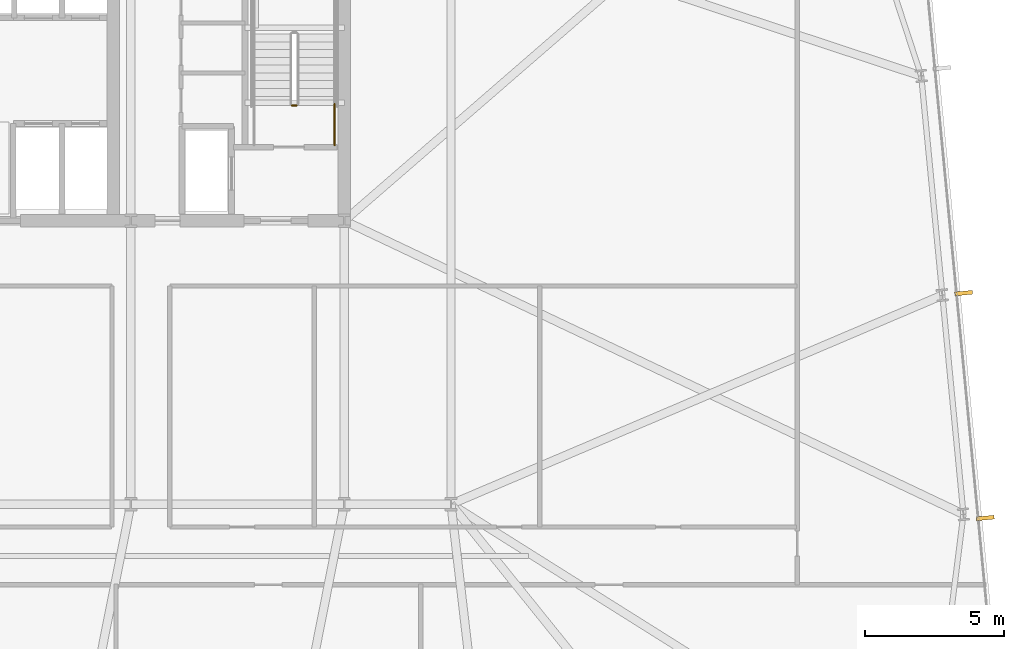
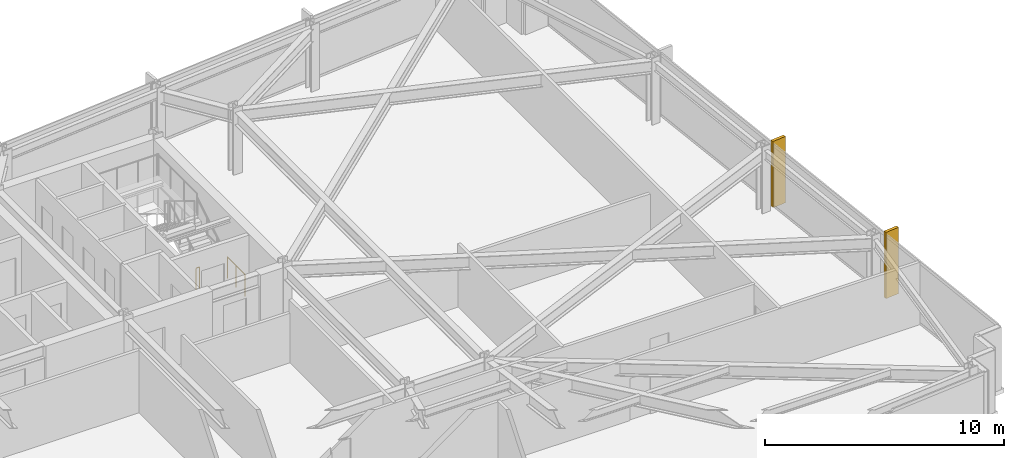
# One storey, part 30 of 32: 2 railings, 2 shading devices.
"""IFC4 building model written with IfcOpenShell, lengths in metres."""

from ifc_helpers import new_model, si_unit, direction, frame, origin, origin_2d, place, context, subcontext, project, spatial, rectangle, circle, extrude, material, layer, layer_set, type_object, element, save


model = new_model("IFC4")

# Units and contexts
model_context = context("Model", 3, precision=1e-05, world=origin(), true_north=direction((0.0, 1.0)))
body_context = subcontext(model_context, "Body", "Model", "MODEL_VIEW")
ifc_project = project(units=[si_unit("LENGTHUNIT", "METRE"), si_unit("AREAUNIT", "SQUARE_METRE"), si_unit("VOLUMEUNIT", "CUBIC_METRE"), si_unit("PLANEANGLEUNIT", "RADIAN"), si_unit("MASSUNIT", "GRAM", prefix="KILO")], contexts=[model_context])

# Site, building, storey
site_placement = place(None, origin())
site = spatial("IfcSite", under=ifc_project, at=site_placement, CompositionType="ELEMENT")
building_placement = place(site_placement, origin())
building = spatial("IfcBuilding", under=site, at=building_placement, Name="Yelkora Congress Tower", CompositionType="ELEMENT")
storey_placement = place(building_placement, frame((0.0, 0.0, 96.5)))
storey = spatial("IfcBuildingStorey", under=building, at=storey_placement, Name="L25", CompositionType="ELEMENT", Elevation=96.5)

# Railings
ifc_material_1 = material(Name="Painted galvanised steel stair well guard with vertical infill", Category="steel")
ifc_layer_1 = layer(ifc_material_1, 0.06005859375)
ifc_layer_set_1 = layer_set([ifc_layer_1], Name="Painted galvanised steel stair well guard with vertical infill")
railing_type = type_object("IfcRailingType", Name="RAIL-STAIR-GUARD-1120", PredefinedType="GUARDRAIL", material=ifc_layer_set_1)
railing_1_placement = place(storey_placement, frame((52.0400390625, 39.550048828125, 0.0)))
element("IfcRailing", 1, at=railing_1_placement, inside=storey, type_object=railing_type, Name="ST-02 L25 Stair Well Guardrail 7", PredefinedType="GUARDRAIL", context=body_context, shape_type="SweptSolid", body=[
    extrude(circle(Radius=0.02392578125, at=origin_2d()), frame((0.0, 0.0, 1.09619140625), z_axis=(-1.0, 0.0, 0.0), x_axis=(0.0, -1.0, 0.0)), (0.0, 0.0, 1.0), 0.16015625),
    extrude(circle(Radius=0.02099609375, at=origin_2d()), origin(), (0.0, 0.0, 1.0), 1.072021484375),
    extrude(circle(Radius=0.02099609375, at=origin_2d()), frame((-0.16015625, 0.0, 0.0)), (0.0, 0.0, 1.0), 1.072021484375),
])
railing_2_placement = place(storey_placement, frame((53.409912109375, 38.1201171875, 0.0)))
element("IfcRailing", 2, at=railing_2_placement, inside=storey, type_object=railing_type, Name="ST-02 L25 Stair Well Guardrail 8", PredefinedType="GUARDRAIL", context=body_context, shape_type="SweptSolid", body=[
    extrude(circle(Radius=0.02392578125, at=origin_2d()), frame((0.0, 0.0, 1.09619140625), z_axis=(0.0, 1.0, 0.0), x_axis=(-1.0, 0.0, 0.0)), (0.0, 0.0, 1.0), 1.47998046875),
    extrude(circle(Radius=0.02099609375, at=origin_2d()), origin(), (0.0, 0.0, 1.0), 1.072021484375),
    extrude(circle(Radius=0.02099609375, at=origin_2d()), frame((0.0, 0.739990234375, 0.0)), (0.0, 0.0, 1.0), 1.072021484375),
    extrude(circle(Radius=0.02099609375, at=origin_2d()), frame((0.0, 1.47998046875, 0.0)), (0.0, 0.0, 1.0), 1.072021484375),
])

# Shading devices
ifc_material_2 = material(Name="Champagne anodised aluminium", Category="aluminium")
ifc_layer_2 = layer(ifc_material_2, 3.39990234375)
ifc_layer_set_2 = layer_set([ifc_layer_2], Name="Champagne anodised aluminium")
shading_device_type = type_object("IfcShadingDeviceType", Name="SHD-FIN-ALU-640", PredefinedType="USERDEFINED", material=ifc_layer_set_2)
for number, where, z_axis, x_axis, name in (
    (3, (76.048095703125, 32.7958984375, -0.030029296875), (0.0, 0.0, 1.0), (0.09584575252, -0.995396198367, 0.0), "L25 Vertical Anodised Solar Fin 15-2"),
    (4, (76.827392578125, 24.703125, -0.030029296875), (0.0, 0.0, 1.0), (0.09584575252, -0.995396198367, 0.0), "L25 Vertical Anodised Solar Fin 15-3"),
):
    element("IfcShadingDevice", number, at=place(storey_placement, frame(where, z_axis=z_axis, x_axis=x_axis)), inside=storey, type_object=shading_device_type, Name=name, ObjectType="FIN", PredefinedType="USERDEFINED", context=body_context, shape_type="SweptSolid", body=[
        extrude(rectangle(XDim=0.139892578125, YDim=0.639892578125, at=origin_2d()), origin(), (0.0, 0.0, 1.0), 3.3798828125),
    ])

save(model, "model.ifc")
